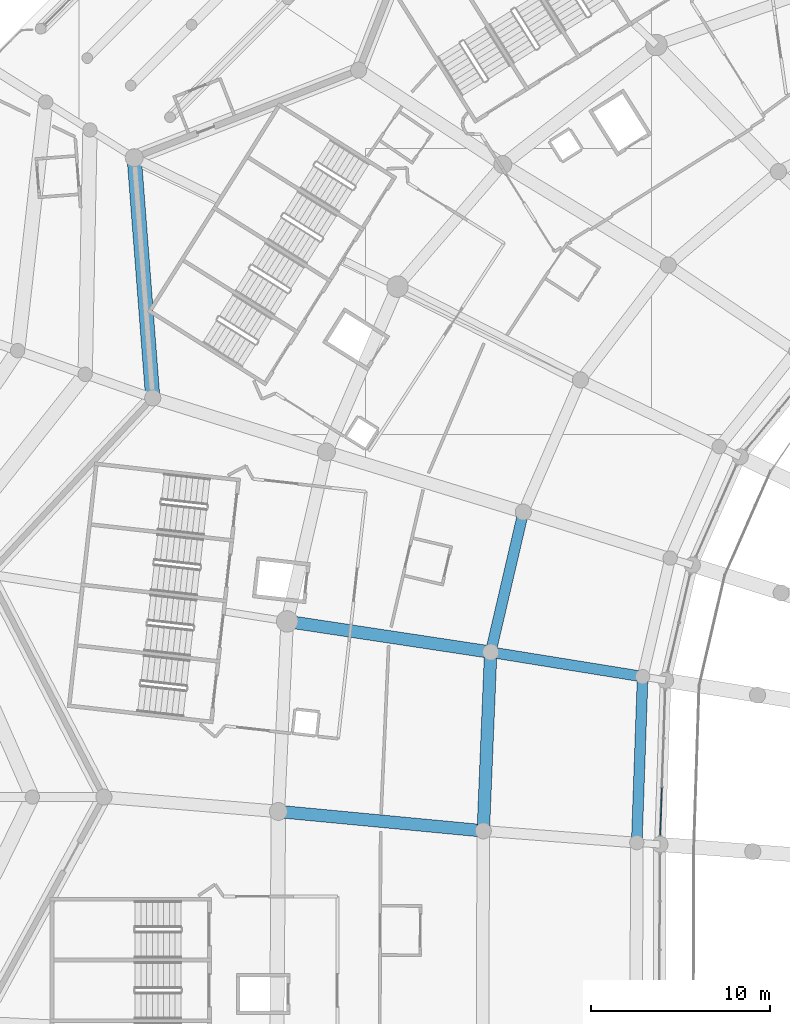
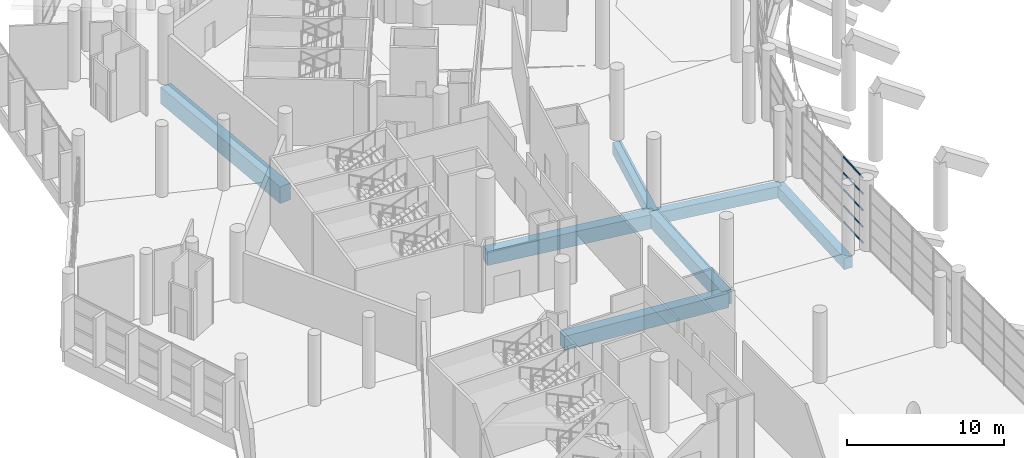
# One storey, part 73 of 271: 7 beams, 5 members, 1 element without a shape of its own.
"""IFC4 building model written with IfcOpenShell, lengths in metres."""

from ifc_helpers import new_model, si_unit, direction, frame, origin, origin_2d, place, context, subcontext, project, spatial, rectangle, extrude, material, layer, layer_set, material_profile, profile_set, type_object, element, aggregate, save


model = new_model("IFC4")

# Units and contexts
model_context = context("Model", 3, precision=1e-05, world=origin(), true_north=direction((0.0, 1.0)))
body_context = subcontext(model_context, "Body", "Model", "MODEL_VIEW")
ifc_project = project(units=[si_unit("LENGTHUNIT", "METRE"), si_unit("AREAUNIT", "SQUARE_METRE"), si_unit("VOLUMEUNIT", "CUBIC_METRE"), si_unit("PLANEANGLEUNIT", "RADIAN"), si_unit("MASSUNIT", "GRAM", prefix="KILO")], contexts=[model_context])

# Site, building, storey
site_placement = place(None, origin())
site = spatial("IfcSite", under=ifc_project, at=site_placement, CompositionType="ELEMENT")
building_placement = place(site_placement, origin())
building = spatial("IfcBuilding", under=site, at=building_placement, Name="Meseta Stadium", CompositionType="ELEMENT")
storey_placement = place(building_placement, frame((0.0, 0.0, 6.5)))
storey = spatial("IfcBuildingStorey", under=building, at=storey_placement, Name="L01", CompositionType="ELEMENT", Elevation=6.5)

# Curtain wall, members
ifc_material_1 = material(Name="Aluminium", Category="aluminium")
ifc_layer = layer(ifc_material_1, 0.199951171875)
ifc_layer_set = layer_set([ifc_layer], Name="Club glazing curtain wall")
curtain_wall_type = type_object("IfcCurtainWallType", Name="Club glazing curtain wall", PredefinedType="NOTDEFINED", material=ifc_layer_set)
curtain_wall_placement = place(storey_placement, origin())
curtain_wall = element("IfcCurtainWall", 1, at=curtain_wall_placement, inside=storey, type_object=curtain_wall_type, Name="Club glazing bay 28", PredefinedType="NOTDEFINED")
ifc_material_2 = material(Name="Aluminium", Category="aluminium")
ifc_material_profile_1 = material_profile(ifc_material_2, rectangle(XDim=0.06005859375, YDim=0.1201171875, at=origin_2d()), Name="CW 60x120")
ifc_profile_set_1 = profile_set([ifc_material_profile_1], Name="Aluminium")
member_type = type_object("IfcMemberType", Name="CW transom 60x120", PredefinedType="USERDEFINED", material=ifc_profile_set_1)
member_1_placement = place(storey_placement, frame((-63.4248046875, 44.269287109375, 0.06005859375), z_axis=(-0.034364172763, -0.999409377398, 0.0), x_axis=(0.999409377398, -0.034364172763, 0.0)))
member_1 = element("IfcMember", 2, at=member_1_placement, type_object=member_type, Name="CWC transom 3.1", ObjectType="TRANSOM", PredefinedType="USERDEFINED", context=body_context, shape_type="SweptSolid", body=[
    extrude(rectangle(XDim=0.06005859375, YDim=0.1201171875, at=origin_2d()), origin(), (0.0, 0.0, 1.0), 2.656982421875),
])
member_2_placement = place(storey_placement, frame((-63.4248046875, 44.269287109375, 1.28759765625), z_axis=(-0.034364172763, -0.999409377398, 0.0), x_axis=(0.999409377398, -0.034364172763, 0.0)))
member_2 = element("IfcMember", 3, at=member_2_placement, type_object=member_type, Name="CWC transom 3.2", ObjectType="TRANSOM", PredefinedType="USERDEFINED", context=body_context, shape_type="SweptSolid", body=[
    extrude(rectangle(XDim=0.06005859375, YDim=0.1201171875, at=origin_2d()), origin(), (0.0, 0.0, 1.0), 2.656982421875),
])
member_3_placement = place(storey_placement, frame((-63.4248046875, 44.269287109375, 2.574951171875), z_axis=(-0.034364172763, -0.999409377398, 0.0), x_axis=(0.999409377398, -0.034364172763, 0.0)))
member_3 = element("IfcMember", 4, at=member_3_placement, type_object=member_type, Name="CWC transom 3.3", ObjectType="TRANSOM", PredefinedType="USERDEFINED", context=body_context, shape_type="SweptSolid", body=[
    extrude(rectangle(XDim=0.06005859375, YDim=0.1201171875, at=origin_2d()), origin(), (0.0, 0.0, 1.0), 2.656982421875),
])
member_4_placement = place(storey_placement, frame((-63.4248046875, 44.269287109375, 3.862548828125), z_axis=(-0.034364172763, -0.999409377398, 0.0), x_axis=(0.999409377398, -0.034364172763, 0.0)))
member_4 = element("IfcMember", 5, at=member_4_placement, type_object=member_type, Name="CWC transom 3.4", ObjectType="TRANSOM", PredefinedType="USERDEFINED", context=body_context, shape_type="SweptSolid", body=[
    extrude(rectangle(XDim=0.06005859375, YDim=0.1201171875, at=origin_2d()), origin(), (0.0, 0.0, 1.0), 2.656982421875),
])
member_5_placement = place(storey_placement, frame((-63.4248046875, 44.269287109375, 5.090087890625), z_axis=(-0.034364172763, -0.999409377398, 0.0), x_axis=(0.999409377398, -0.034364172763, 0.0)))
member_5 = element("IfcMember", 6, at=member_5_placement, type_object=member_type, Name="CWC transom 3.5", ObjectType="TRANSOM", PredefinedType="USERDEFINED", context=body_context, shape_type="SweptSolid", body=[
    extrude(rectangle(XDim=0.06005859375, YDim=0.1201171875, at=origin_2d()), origin(), (0.0, 0.0, 1.0), 2.656982421875),
])
aggregate(curtain_wall, [member_1, member_2, member_3, member_4, member_5])

# Beams
ifc_material_3 = material(Name="Concrete C40/50", Category="concrete")
ifc_material_profile_2 = material_profile(ifc_material_3, rectangle(XDim=0.60009765625, YDim=0.89990234375, at=origin_2d()), Name="RC 600x900")
ifc_profile_set_2 = profile_set([ifc_material_profile_2], Name="Concrete C40/50")
beam_type_1 = type_object("IfcBeamType", Name="RC beam 600x900", PredefinedType="BEAM", material=ifc_profile_set_2)
beam_1_placement = place(storey_placement, frame((-71.169677734375, 59.67724609375, -0.800048828125), z_axis=(-0.226697740265, -0.973965160855, 0.0), x_axis=(0.973965160855, -0.226697740265, 0.0)))
element("IfcBeam", 7, at=beam_1_placement, inside=storey, type_object=beam_type_1, Name="L01 ring beam frame 27 line E", PredefinedType="BEAM", context=body_context, shape_type="SweptSolid", body=[
    extrude(rectangle(XDim=0.60009765625, YDim=0.89990234375, at=origin_2d()), origin(), (0.0, 0.0, 1.0), 8.039306640625),
])
beam_2_placement = place(storey_placement, frame((-64.501708984375, 50.479736328125, -0.800048828125), z_axis=(-0.035352824386, -0.999374893525, 0.0), x_axis=(0.999374893525, -0.035352824386, 0.0)))
element("IfcBeam", 8, at=beam_2_placement, inside=storey, type_object=beam_type_1, Name="L01 ring beam frame 28 line D", PredefinedType="BEAM", context=body_context, shape_type="SweptSolid", body=[
    extrude(rectangle(XDim=0.60009765625, YDim=0.89990234375, at=origin_2d()), origin(), (0.0, 0.0, 1.0), 9.281494140625),
])
beam_3_placement = place(storey_placement, frame((-64.501708984375, 50.479736328125, -0.800048828125), z_axis=(-0.987277660392, 0.159005727229, 0.0), x_axis=(-0.159005727229, -0.987277660392, 0.0)))
element("IfcBeam", 9, at=beam_3_placement, inside=storey, type_object=beam_type_1, Name="L01 radial beam frame 28 line D to E", PredefinedType="BEAM", context=body_context, shape_type="SweptSolid", body=[
    extrude(rectangle(XDim=0.60009765625, YDim=0.89990234375, at=origin_2d()), origin(), (0.0, 0.0, 1.0), 8.599853515625),
])
ifc_material_4 = material(Name="Concrete C40/50", Category="concrete")
ifc_material_profile_3 = material_profile(ifc_material_4, rectangle(XDim=0.699951171875, YDim=1.10009765625, at=origin_2d()), Name="RC 700x1100")
ifc_profile_set_3 = profile_set([ifc_material_profile_3], Name="Concrete C40/50")
beam_type_2 = type_object("IfcBeamType", Name="RC beam 700x1100", PredefinedType="BEAM", material=ifc_profile_set_3)
beam_4_placement = place(storey_placement, frame((-72.9921875, 51.84716796875, -0.89990234375), z_axis=(-0.041287079546, -0.999147325004, 0.0), x_axis=(0.999147325004, -0.041287079546, 0.0)))
element("IfcBeam", 10, at=beam_4_placement, inside=storey, type_object=beam_type_2, Name="L01 ring beam frame 28 line E", PredefinedType="BEAM", context=body_context, shape_type="SweptSolid", body=[
    extrude(rectangle(XDim=0.699951171875, YDim=1.10009765625, at=origin_2d()), origin(), (0.0, 0.0, 1.0), 9.993408203125),
])
beam_5_placement = place(storey_placement, frame((-72.9921875, 51.84716796875, -0.89990234375), z_axis=(-0.988775073655, 0.149411692039, 0.0), x_axis=(-0.149411692039, -0.988775073655, 0.0)))
element("IfcBeam", 11, at=beam_5_placement, inside=storey, type_object=beam_type_2, Name="L01 radial beam frame 28 line E to P", PredefinedType="BEAM", context=body_context, shape_type="SweptSolid", body=[
    extrude(rectangle(XDim=0.699951171875, YDim=1.10009765625, at=origin_2d()), origin(), (0.0, 0.0, 1.0), 11.500244140625),
])
beam_6_placement = place(storey_placement, frame((-73.40478515625, 41.8623046875, -0.89990234375), z_axis=(-0.995530039578, 0.094445435561, 0.0), x_axis=(-0.094445435561, -0.995530039578, 0.0)))
element("IfcBeam", 12, at=beam_6_placement, inside=storey, type_object=beam_type_2, Name="L01 radial beam frame 29 line E to P", PredefinedType="BEAM", context=body_context, shape_type="SweptSolid", body=[
    extrude(rectangle(XDim=0.699951171875, YDim=1.10009765625, at=origin_2d()), origin(), (0.0, 0.0, 1.0), 11.500732421875),
])
ifc_material_5 = material(Name="Concrete C40/50", Category="concrete")
ifc_material_profile_4 = material_profile(ifc_material_5, rectangle(XDim=0.800048828125, YDim=1.300048828125, at=origin_2d()), Name="RC 800x1300")
ifc_profile_set_4 = profile_set([ifc_material_profile_4], Name="Concrete C40/50")
beam_type_3 = type_object("IfcBeamType", Name="RC beam 800x1300", PredefinedType="BEAM", material=ifc_profile_set_4)
beam_7_placement = place(storey_placement, frame((-92.908447265625, 79.474609375, -1.0), z_axis=(0.076925307894, -0.997036858399, 0.0), x_axis=(0.997036858399, 0.076925307894, 0.0)))
element("IfcBeam", 13, at=beam_7_placement, inside=storey, type_object=beam_type_3, Name="L01 ring beam frame 26 line R", PredefinedType="BEAM", context=body_context, shape_type="SweptSolid", body=[
    extrude(rectangle(XDim=0.800048828125, YDim=1.300048828125, at=origin_2d()), origin(), (0.0, 0.0, 1.0), 13.462890625),
])

save(model, "model.ifc")
